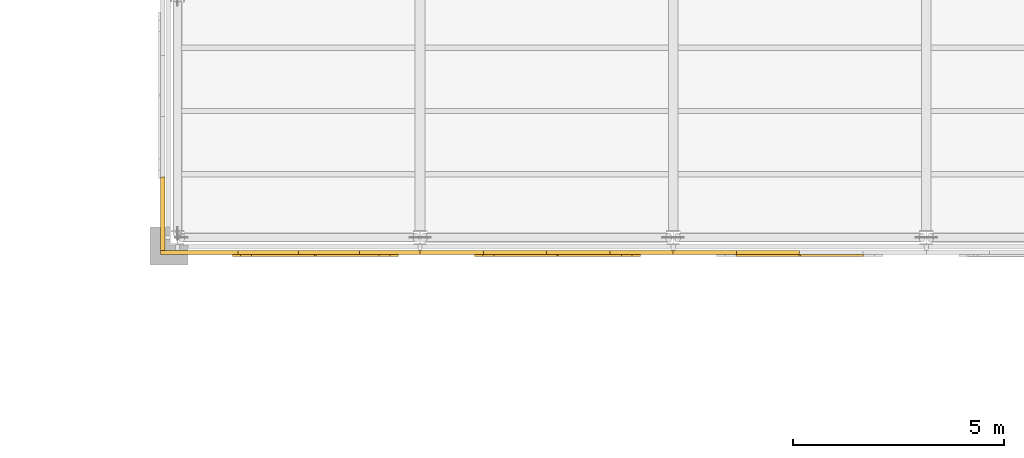
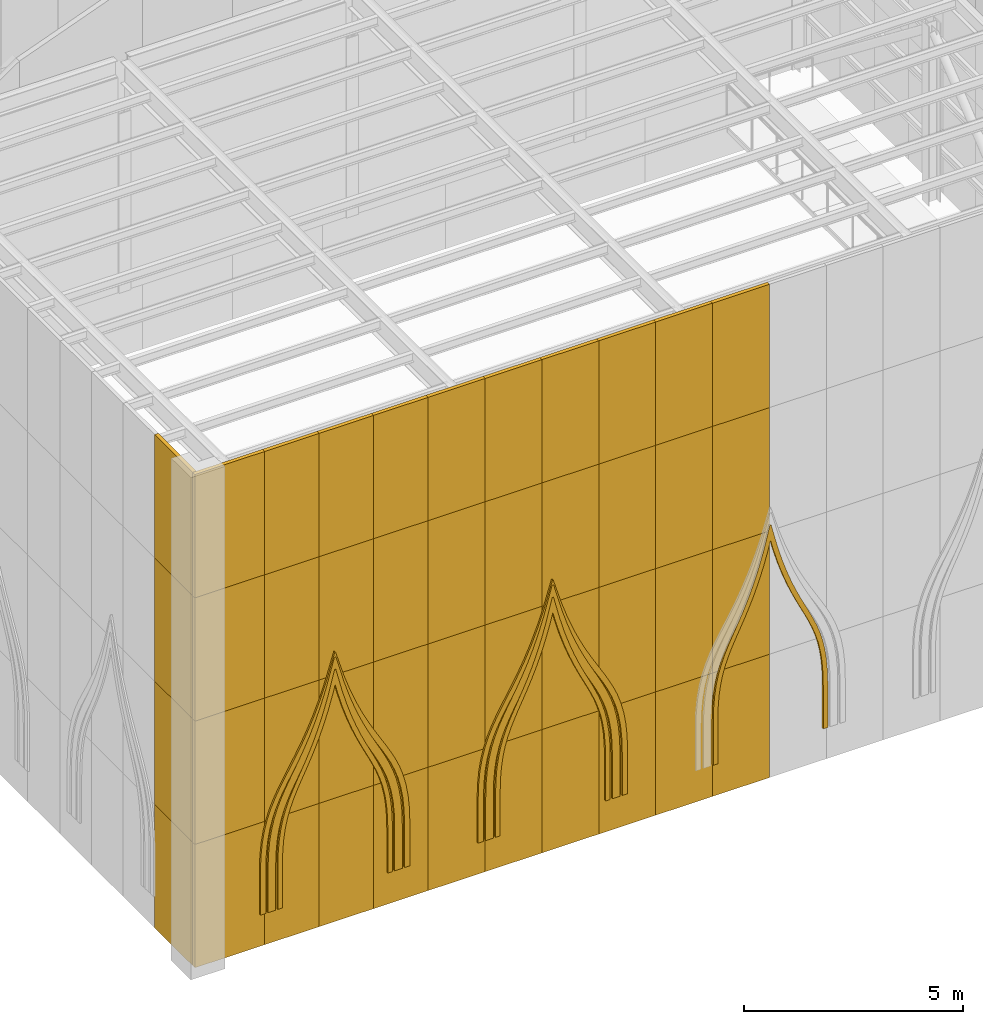
# One storey, part 36 of 43: 51 coverings.
"""IFC4 building model written with IfcOpenShell, lengths in metres."""

from ifc_helpers import new_model, si_unit, direction, frame, origin, origin_2d, place, context, subcontext, project, spatial, polyline, rectangle, outline, extrude, material, layer, layer_set, type_object, element, save


model = new_model("IFC4")

# Units and contexts
model_context = context("Model", 3, precision=1e-05, world=origin(), true_north=direction((0.0, 1.0)))
body_context = subcontext(model_context, "Body", "Model", "MODEL_VIEW")
ifc_project = project(units=[si_unit("LENGTHUNIT", "METRE"), si_unit("AREAUNIT", "SQUARE_METRE"), si_unit("VOLUMEUNIT", "CUBIC_METRE"), si_unit("PLANEANGLEUNIT", "RADIAN"), si_unit("MASSUNIT", "GRAM", prefix="KILO")], contexts=[model_context])

# Site, building, storey
site_placement = place(None, origin())
site = spatial("IfcSite", under=ifc_project, at=site_placement, CompositionType="ELEMENT")
building_placement = place(site_placement, origin())
building = spatial("IfcBuilding", under=site, at=building_placement, Name="Saffron Lane Theatres", CompositionType="ELEMENT")
storey_placement = place(building_placement, frame((0.0, 0.0, 23.0)))
storey = spatial("IfcBuildingStorey", under=building, at=storey_placement, Name="Roof", CompositionType="ELEMENT", Elevation=23.0)

# Coverings
ifc_material_1 = material(Name="Masonry sandstone", Category="masonry")
ifc_layer_1 = layer(ifc_material_1, 0.050048828125)
ifc_layer_set_1 = layer_set([ifc_layer_1], Name="Masonry sandstone")
covering_type_1 = type_object("IfcCoveringType", Name="EX-ARCH FRAME RING SANDSTONE 50", PredefinedType="CLADDING", material=ifc_layer_set_1)
covering_1_placement = place(storey_placement, frame((23.02099609375, 29.85009765625, 2.5810546875), z_axis=(0.0, 1.0, 0.0), x_axis=(0.023756941085, 0.0, -0.999717764047)))
element("IfcCovering", 1, at=covering_1_placement, inside=storey, type_object=covering_type_1, Name="Tower arch recess ring", PredefinedType="CLADDING", context=body_context, shape_type="SweptSolid", body=[
    extrude(outline(polyline([(0.0, 0.0), (0.38023426890641177, 0.0), (1.5808230582972993, 0.028530369433181012), (1.5779694413505367, 0.14861365554424355), (0.3793332257175527, 0.12012968638661965), (0.003248176046685734, 0.12022828697217852), (-0.32637530581117835, 0.13828144283302546), (-0.6163538279053677, 0.17339453784549674), (-0.8754217718364463, 0.223162125291944), (-1.1121042476919079, 0.2866489888075911), (-1.334891565352578, 0.36145548170923414), (-1.5501527896694218, 0.44840708998026435), (-1.7663318302477076, 0.5431515931795744), (-1.9907856388862415, 0.6469794205922529), (-2.231510581991929, 0.7572584538842472), (-2.4952710673040963, 0.8708974314542522), (-2.79112674862527, 0.9889021106265061), (-3.1241045314843876, 1.1070014714421268), (-3.503019997964239, 1.2262070712597966), (-3.934846827317219, 1.341957418125338), (-4.195372931259218, 1.4017029459088173), (-3.9379788459173244, 1.4737561467838212), (-3.5121434521456565, 1.6101318864075636), (-3.139312221798232, 1.7469575205949843), (-2.812320074485982, 1.8807401745489096), (-2.522403628436119, 2.012664936388298), (-2.264338776948588, 2.138704387600942), (-2.0291296665997525, 2.2605375597797215), (-1.8098552887202812, 2.374665778093016), (-1.5984264763521552, 2.479816013359072), (-1.3875094778343462, 2.5756741231717535), (-1.168550182907138, 2.661954965297145), (-0.9351505265473425, 2.7366126951531675), (-0.6787389983919088, 2.7986299553466933), (-0.3907556881466753, 2.84747753192407), (-0.062367613625519354, 2.881411652367403), (0.3132882334964443, 2.899374359042451), (1.5119244491294284, 2.927858328200075), (1.5090766322171103, 3.0476975425913997), (0.3084878428262229, 3.0191671731582184), (-0.07131722353128557, 3.0011058658976117), (-0.40652190610176964, 2.9662771293306154), (-0.7025305829261318, 2.9160177930178754), (-0.9679263644363119, 2.8518333577919948), (-1.2093339872719022, 2.775031653041396), (-1.4341046031972635, 2.6866590363314287), (-1.6498508357998292, 2.588488280352214), (-1.8644061802489915, 2.4813100708804736), (-2.0836805581284623, 2.367181852567179), (-2.3179423817705693, 2.246592239124868), (-2.5740488594657522, 2.120355116468043), (-2.8591360714308585, 1.990743000795189), (-3.182025399783121, 1.859011521184726), (-3.5509978828902957, 1.7242312613063229), (-3.9717367707196902, 1.5891976810046076), (-4.6197083107173516, 1.4077370195811822), (-4.618948506205104, 1.3757636242955131), (-3.963088919362733, 1.225286746875351), (-3.536410796262028, 1.110390886165424), (-3.161452677607985, 0.9932891312742814), (-2.8326473141221906, 0.8760674567520537), (-2.5417426676091113, 0.7608756375277622), (-2.2799289560204032, 0.646946187962462), (-2.040203499931446, 0.5376202414116408), (-1.8157554913273564, 0.43403648571870035), (-1.5963513180824758, 0.33717073748952914), (-1.3761854592330949, 0.24935884302844), (-1.1474708198853787, 0.1717626903166131), (-0.9026875770030083, 0.10651465417973567), (-0.6345425791660692, 0.05500909424983662), (-0.3364864901827494, 0.019111113495086693), (0.0, 0.0)])), origin(), (0.0, 0.0, -1.0), 0.050048828125),
])
covering_2_placement = place(storey_placement, frame((23.279052734375, 29.85009765625, 2.60107421875), z_axis=(0.0, 1.0, 0.0), x_axis=(0.027445423218, 0.0, -0.999623303422)))
element("IfcCovering", 2, at=covering_2_placement, inside=storey, type_object=covering_type_1, Name="Tower arch recess ring", PredefinedType="CLADDING", context=body_context, shape_type="SweptSolid", body=[
    extrude(outline(polyline([(0.0, 0.0), (0.4002972749886543, 0.0), (1.60077262399574, 0.03295996992392853), (1.5952848794607335, 0.23283582087672447), (0.39676191971814384, 0.19992945529501824), (0.005521247248895529, 0.1992011807455482), (-0.3350186515351066, 0.21989201014049903), (-0.6362744592205554, 0.25973462870481856), (-0.9050192333481872, 0.3163449833181706), (-1.1499851212660126, 0.3875294651760587), (-1.3804526725231665, 0.473277502310989), (-1.604171139292633, 0.5711782394315141), (-1.8304143705807694, 0.6809770559120782), (-2.0656912736419164, 0.7995644532009369), (-2.31924889531132, 0.9257096160402862), (-2.5968907990402466, 1.057299342138963), (-2.907850630578386, 1.1926147189230394), (-3.2586775004367463, 1.3300105397891429), (-3.6575886564761024, 1.4663304023860844), (-4.111377257865525, 1.5999223995677143), (-4.280569238825531, 1.642169768484506), (-4.113956966834973, 1.6938811329215928), (-3.668182214607782, 1.852171330782141), (-3.2773452126156575, 2.0099301011499358), (-2.9345857962617514, 2.166368864590507), (-2.6314991024875107, 2.3178106610293066), (-2.361515919153593, 2.4651685510955206), (-2.1152618891119763, 2.605036425543775), (-1.8868463418552817, 2.7363548541104272), (-1.666968626206042, 2.8584022627887835), (-1.4489590218832489, 2.968430982337101), (-1.2235436798805455, 3.0666956333809354), (-0.9828527382549475, 3.151214195366617), (-0.7176190485428754, 3.2224853375777642), (-0.4190032547118743, 3.2787978902898818), (-0.08011168945120746, 3.318143030778188), (0.31057953851026243, 3.338883295288744), (1.509102498252852, 3.37178966087045), (1.5036147537178453, 3.571665511823246), (0.3031394047107597, 3.5387055418993176), (-0.0965548214278939, 3.516741162673736), (-0.4495744066850469, 3.4760311960720696), (-0.762047369683361, 3.4173843231571226), (-1.042087621023883, 3.342775863939786), (-1.2967926734187447, 3.2527436486536896), (-1.5340256882681536, 3.1490256491944417), (-1.7609578842547968, 3.0348442310343535), (-1.985662968723055, 2.910710422235945), (-2.215027908440886, 2.778388996865934), (-2.45838015675687, 2.6395777235632614), (-2.724538968075129, 2.4952556260782357), (-3.020357806449731, 2.345967235187266), (-3.3563977696051235, 2.1938649141315274), (-3.7392615723945344, 2.039255845572144), (-4.177280371905962, 1.8831324543449808), (-4.9520084443458074, 1.6437619663494585), (-4.9509095553302505, 1.603737986427287), (-4.164214313489279, 1.4072375711240381), (-3.7182888735000645, 1.2753835458380154), (-3.327525130775644, 1.142259246542275), (-2.983638832027465, 1.0085805890073858), (-2.680074166201742, 0.8757487311786581), (-2.4063973458868078, 0.7462482343180951), (-2.155768308114148, 0.6200226649654124), (-1.9195152104207531, 0.5014620698476648), (-1.688337401629154, 0.3898448749581602), (-1.455481925826948, 0.28828727939142085), (-1.2129152789264217, 0.19774254703329958), (-0.9536538574426654, 0.12182167483722059), (-0.6699417086599169, 0.06269146943656922), (-0.3547215231227106, 0.02127839254608732), (0.0, 0.0)])), origin(), (0.0, 0.0, -1.0), 0.050048828125),
])
covering_3_placement = place(storey_placement, frame((23.47802734375, 29.85009765625, 2.617919921875), z_axis=(0.0, 1.0, 0.0), x_axis=(0.028676726094, 0.0, -0.999588738122)))
element("IfcCovering", 3, at=covering_3_placement, inside=storey, type_object=covering_type_1, Name="Tower arch recess ring", PredefinedType="CLADDING", context=body_context, shape_type="SweptSolid", body=[
    extrude(outline(polyline([(0.0, 0.0), (0.41716375104764425, 0.0), (1.6175975896273929, 0.034438675696960006), (1.6135859284819654, 0.1742737213375772), (0.4151044116563614, 0.1398910548712689), (0.005010825813660432, 0.14033812855164937), (-0.35494549711227735, 0.16396102174383417), (-0.671332639580196, 0.2098385826365695), (-0.9552924378304503, 0.274720275522391), (-1.2138740536064891, 0.35742690606311395), (-1.4567760852945528, 0.4554820661320671), (-1.6930000163922352, 0.5676505521604138), (-1.930822210893157, 0.6929622042600804), (-2.177744905210146, 0.8290036246888783), (-2.441974451798508, 0.972364251366053), (-2.733495496186741, 1.1220249163267102), (-3.056888793310287, 1.2759002758939073), (-3.4235612230902626, 1.4314649138641529), (-3.8400458622162548, 1.5865774773298524), (-4.314828109131995, 1.7390406041527604), (-4.631415284566527, 1.825944926497861), (-4.320331016043524, 1.9308562164974814), (-3.8550703383385714, 2.1102877878791797), (-3.448135273038693, 2.288046083495159), (-3.0909844124695054, 2.4643761437295195), (-2.776972661480118, 2.637514677981567), (-2.4945111101497965, 2.8036420567538216), (-2.238941990850953, 2.962159181311278), (-2.0002176476706053, 3.111888857645417), (-1.769970701615325, 3.250628722793827), (-1.5405658943494862, 3.3761554103326024), (-1.3036848549564797, 3.487974838834209), (-1.0502700907080593, 3.585369890113339), (-0.7704969824490192, 3.666424248349837), (-0.4572603592052583, 3.730364786127743), (-0.09925735819829837, 3.7748291141113564), (0.31014311341508793, 3.7985420221385167), (1.5086246302406918, 3.8329246886048254), (1.5046129690952643, 3.9727597342454426), (0.30417913051551565, 3.9383210585484822), (-0.11229850745664535, 3.9144051170602094), (-0.47930999311503036, 3.8689496257270277), (-0.8044415767184447, 3.8024696694379667), (-1.094136320121499, 3.718199781263162), (-1.358448880391006, 3.6175611954303997), (-1.6042123836664715, 3.5003578796323986), (-1.839634182568035, 3.3717276806166194), (-2.073485722681685, 3.2309304764065927), (-2.312447104927469, 3.0809497586993544), (-2.5680512299954703, 2.923652835238239), (-2.8454159413364875, 2.758648641573517), (-3.155635067278889, 2.589526769291062), (-3.5077240936279295, 2.415540095260575), (-3.9078820420189535, 2.239930153706022), (-4.367097723472856, 2.062625932924255), (-5.082416612246459, 1.8220432834840707), (-5.081898526862931, 1.803984307258232), (-4.353963558885034, 1.6048064815773124), (-3.885338326681647, 1.4541206476627628), (-3.47577782869497, 1.3019845747402674), (-3.114286252750276, 1.148225234293706), (-2.7948886141348286, 0.9974103791156907), (-2.50851341781272, 0.8483348105823771), (-2.244311875839684, 0.7059503447822748), (-1.9971451413034267, 0.5699159255073083), (-1.7556063342828319, 0.44275696896096894), (-1.5131693792421437, 0.3268588682701192), (-1.2611188398260256, 0.2249140671653726), (-0.991471400336945, 0.1395940059158483), (-0.6974219392507215, 0.0720708777058996), (-0.36901381565418306, 0.024340011377493066), (0.0, 0.0)])), origin(), (0.0, 0.0, -1.0), 0.050048828125),
])
covering_4_placement = place(storey_placement, frame((28.760986328125, 29.85009765625, 2.5810546875), z_axis=(0.0, 1.0, 0.0), x_axis=(0.023756941085, 0.0, -0.999717764047)))
element("IfcCovering", 4, at=covering_4_placement, inside=storey, type_object=covering_type_1, Name="Tower arch recess ring", PredefinedType="CLADDING", context=body_context, shape_type="SweptSolid", body=[
    extrude(outline(polyline([(0.0, 0.0), (0.38023426890641177, 0.0), (1.5808230582972993, 0.028530369433181012), (1.5779694413505367, 0.14861365554424355), (0.3793332257175527, 0.12012968638661965), (0.0032539760811303733, 0.1199842152524406), (-0.32637530581117835, 0.13828144283302546), (-0.6163538279053677, 0.17339453784549674), (-0.8754217718364463, 0.223162125291944), (-1.1121042476919079, 0.2866489888075911), (-1.334891565352578, 0.36145548170923414), (-1.5501527896694218, 0.44840708998026435), (-1.7663318302477076, 0.5431515931795744), (-1.9907856388862415, 0.6469794205922529), (-2.231510581991929, 0.7572584538842472), (-2.4952710673040963, 0.8708974314542522), (-2.79112674862527, 0.9889021106265061), (-3.1241045314843876, 1.1070014714421268), (-3.503019997964239, 1.2262070712597966), (-3.934846827317219, 1.341957418125338), (-4.195372931259218, 1.4017029459088173), (-3.9379788459173244, 1.4737561467838212), (-3.5121376521112118, 1.6098878146878255), (-3.139312221798232, 1.7469575205949843), (-2.812320074485982, 1.8807401745489096), (-2.522403628436119, 2.012664936388298), (-2.264338776948588, 2.138704387600942), (-2.0291296665997525, 2.2605375597797215), (-1.8098552887202812, 2.374665778093016), (-1.5984264763521552, 2.479816013359072), (-1.3875094778343462, 2.5756741231717535), (-1.168550182907138, 2.661954965297145), (-0.9351505265473425, 2.7366126951531675), (-0.6787389983919088, 2.7986299553466933), (-0.3907556881466753, 2.84747753192407), (-0.062367613625519354, 2.881411652367403), (0.3132940335308889, 2.899130287322713), (1.5119302491638729, 2.927614256480337), (1.5090766322171103, 3.0476975425913997), (0.3084878428262229, 3.0191671731582184), (-0.07131722353128557, 3.0011058658976117), (-0.40652190610176964, 2.9662771293306154), (-0.7025305829261318, 2.9160177930178754), (-0.9679263644363119, 2.8518333577919948), (-1.2093339872719022, 2.775031653041396), (-1.4341046031972635, 2.6866590363314287), (-1.6498508357998292, 2.588488280352214), (-1.8644061802489915, 2.4813100708804736), (-2.0836805581284623, 2.367181852567179), (-2.3179423817705693, 2.246592239124868), (-2.5740488594657522, 2.120355116468043), (-2.8591360714308585, 1.990743000795189), (-3.182025399783121, 1.859011521184726), (-3.5509978828902957, 1.7242312613063229), (-3.9717367707196902, 1.5891976810046076), (-4.6197083107173516, 1.4077370195811822), (-4.618948506205104, 1.3757636242955131), (-3.963088919362733, 1.225286746875351), (-3.536410796262028, 1.110390886165424), (-3.1614468775735407, 0.9930450595545434), (-2.832641514087746, 0.8758233850323157), (-2.5417426676091113, 0.7608756375277622), (-2.2799289560204032, 0.646946187962462), (-2.040203499931446, 0.5376202414116408), (-1.8157554913273564, 0.43403648571870035), (-1.5963513180824758, 0.33717073748952914), (-1.3761854592330949, 0.24935884302844), (-1.1474708198853787, 0.1717626903166131), (-0.9026875770030083, 0.10651465417973567), (-0.6345425791660692, 0.05500909424983662), (-0.3364864901827494, 0.019111113495086693), (0.0, 0.0)])), origin(), (0.0, 0.0, -1.0), 0.050048828125),
])
covering_5_placement = place(storey_placement, frame((29.01904296875, 29.85009765625, 2.60107421875), z_axis=(0.0, 1.0, 0.0), x_axis=(0.027445423218, 0.0, -0.999623303422)))
element("IfcCovering", 5, at=covering_5_placement, inside=storey, type_object=covering_type_1, Name="Tower arch recess ring", PredefinedType="CLADDING", context=body_context, shape_type="SweptSolid", body=[
    extrude(outline(polyline([(0.0, 0.0), (0.4002972749886543, 0.0), (1.60077262399574, 0.03295996992392853), (1.5952848794607335, 0.23283582087672447), (0.39676191971814384, 0.19992945529501824), (0.005521247248895529, 0.1992011807455482), (-0.3350186515351066, 0.21989201014049903), (-0.6362744592205554, 0.25973462870481856), (-0.9050192333481872, 0.3163449833181706), (-1.1499851212660126, 0.3875294651760587), (-1.3804526725231665, 0.473277502310989), (-1.604171139292633, 0.5711782394315141), (-1.8304143705807694, 0.6809770559120782), (-2.0656912736419164, 0.7995644532009369), (-2.31924889531132, 0.9257096160402862), (-2.596884098497469, 1.057055293480901), (-2.907850630578386, 1.1926147189230394), (-3.2586775004367463, 1.3300105397891429), (-3.6575886564761024, 1.4663304023860844), (-4.111377257865525, 1.5999223995677143), (-4.280569238825531, 1.642169768484506), (-4.113956966834973, 1.6938811329215928), (-3.668182214607782, 1.852171330782141), (-3.2773452126156575, 2.0099301011499358), (-2.9345857962617514, 2.166368864590507), (-2.6314991024875107, 2.3178106610293066), (-2.361515919153593, 2.4651685510955206), (-2.1152618891119763, 2.605036425543775), (-1.8868463418552817, 2.7363548541104272), (-1.666968626206042, 2.8584022627887835), (-1.4489590218832489, 2.968430982337101), (-1.2235436798805455, 3.0666956333809354), (-0.9828527382549475, 3.151214195366617), (-0.7176190485428754, 3.2224853375777642), (-0.4190032547118743, 3.2787978902898818), (-0.08011168945120746, 3.318143030778188), (0.31057953851026243, 3.338883295288744), (1.509102498252852, 3.37178966087045), (1.5036147537178453, 3.571665511823246), (0.3031394047107597, 3.5387055418993176), (-0.0965548214278939, 3.516741162673736), (-0.4495744066850469, 3.4760311960720696), (-0.762047369683361, 3.4173843231571226), (-1.042087621023883, 3.342775863939786), (-1.2967926734187447, 3.2527436486536896), (-1.5340256882681536, 3.1490256491944417), (-1.7609578842547968, 3.0348442310343535), (-1.985662968723055, 2.910710422235945), (-2.215027908440886, 2.778388996865934), (-2.45838015675687, 2.6395777235632614), (-2.724538968075129, 2.4952556260782357), (-3.020357806449731, 2.345967235187266), (-3.3563977696051235, 2.1938649141315274), (-3.7392615723945344, 2.039255845572144), (-4.177280371905962, 1.8831324543449808), (-4.9520084443458074, 1.6437619663494585), (-4.9509095553302505, 1.603737986427287), (-4.164214313489279, 1.4072375711240381), (-3.7182888735000645, 1.2753835458380154), (-3.327525130775644, 1.142259246542275), (-2.983638832027465, 1.0085805890073858), (-2.680074166201742, 0.8757487311786581), (-2.4063973458868078, 0.7462482343180951), (-2.155768308114148, 0.6200226649654124), (-1.9195152104207531, 0.5014620698476648), (-1.688337401629154, 0.3898448749581602), (-1.455481925826948, 0.28828727939142085), (-1.2129152789264217, 0.19774254703329958), (-0.9536538574426654, 0.12182167483722059), (-0.6699417086599169, 0.06269146943656922), (-0.3547215231227106, 0.02127839254608732), (0.0, 0.0)])), origin(), (0.0, 0.0, -1.0), 0.050048828125),
])
covering_6_placement = place(storey_placement, frame((29.218017578125, 29.85009765625, 2.617919921875), z_axis=(0.0, 1.0, 0.0), x_axis=(0.028676726094, 0.0, -0.999588738122)))
element("IfcCovering", 6, at=covering_6_placement, inside=storey, type_object=covering_type_1, Name="Tower arch recess ring", PredefinedType="CLADDING", context=body_context, shape_type="SweptSolid", body=[
    extrude(outline(polyline([(0.0, 0.0), (0.41716375104764425, 0.0), (1.6175975896273929, 0.034438675696960006), (1.6135859284819654, 0.1742737213375772), (0.4151044116563614, 0.1398910548712689), (0.005010825813660432, 0.14033812855164937), (-0.35494549711227735, 0.16396102174383417), (-0.671332639580196, 0.2098385826365695), (-0.9552924378304503, 0.274720275522391), (-1.2138740536064891, 0.35742690606311395), (-1.4567760852945528, 0.4554820661320671), (-1.6930000163922352, 0.5676505521604138), (-1.930822210893157, 0.6929622042600804), (-2.177744905210146, 0.8290036246888783), (-2.441974451798508, 0.972364251366053), (-2.733495496186741, 1.1220249163267102), (-3.056888793310287, 1.2759002758939073), (-3.4235612230902626, 1.4314649138641529), (-3.8400458622162548, 1.5865774773298524), (-4.314828109131995, 1.7390406041527604), (-4.631415284566527, 1.825944926497861), (-4.320331016043524, 1.9308562164974814), (-3.8550703383385714, 2.1102877878791797), (-3.448135273038693, 2.288046083495159), (-3.0909844124695054, 2.4643761437295195), (-2.776972661480118, 2.637514677981567), (-2.4945111101497965, 2.8036420567538216), (-2.238934989697121, 2.96191514109201), (-2.0002176476706053, 3.111888857645417), (-1.769970701615325, 3.250628722793827), (-1.5405658943494862, 3.3761554103326024), (-1.3036848549564797, 3.487974838834209), (-1.0502700907080593, 3.585369890113339), (-0.7704969824490192, 3.666424248349837), (-0.4572603592052583, 3.730364786127743), (-0.09925735819829837, 3.7748291141113564), (0.31014311341508793, 3.7985420221385167), (1.5086246302406918, 3.8329246886048254), (1.5046129690952643, 3.9727597342454426), (0.30417913051551565, 3.9383210585484822), (-0.11229850745664535, 3.9144051170602094), (-0.47930999311503036, 3.8689496257270277), (-0.8044415767184447, 3.8024696694379667), (-1.094136320121499, 3.718199781263162), (-1.358448880391006, 3.6175611954303997), (-1.6042123836664715, 3.5003578796323986), (-1.839634182568035, 3.3717276806166194), (-2.073485722681685, 3.2309304764065927), (-2.312447104927469, 3.0809497586993544), (-2.5680512299954703, 2.923652835238239), (-2.8454159413364875, 2.758648641573517), (-3.155635067278889, 2.589526769291062), (-3.5077240936279295, 2.415540095260575), (-3.9078820420189535, 2.239930153706022), (-4.367097723472856, 2.062625932924255), (-5.082416612246459, 1.8220432834840707), (-5.081898526862931, 1.803984307258232), (-4.353963558885034, 1.6048064815773124), (-3.885338326681647, 1.4541206476627628), (-3.47577782869497, 1.3019845747402674), (-3.114286252750276, 1.148225234293706), (-2.794881612980997, 0.9971663388964227), (-2.50851341781272, 0.8483348105823771), (-2.244311875839684, 0.7059503447822748), (-1.9971451413034267, 0.5699159255073083), (-1.7556063342828319, 0.44275696896096894), (-1.5131693792421437, 0.3268588682701192), (-1.2611188398260256, 0.2249140671653726), (-0.991471400336945, 0.1395940059158483), (-0.6974219392507215, 0.0720708777058996), (-0.36901381565418306, 0.024340011377493066), (0.0, 0.0)])), origin(), (0.0, 0.0, -1.0), 0.050048828125),
])
covering_7_placement = place(storey_placement, frame((34.5009765625, 29.85009765625, 2.5810546875), z_axis=(0.0, 1.0, 0.0), x_axis=(0.023756941085, 0.0, -0.999717764047)))
element("IfcCovering", 7, at=covering_7_placement, inside=storey, type_object=covering_type_1, Name="Tower arch recess ring", PredefinedType="CLADDING", context=body_context, shape_type="SweptSolid", body=[
    extrude(outline(polyline([(0.0, 0.0), (0.38023426890641177, 0.0), (1.5808230582972993, 0.028530369433181012), (1.5779694413505367, 0.14861365554424355), (0.3793332257175527, 0.12012968638661965), (0.0032539760811303733, 0.1199842152524406), (-0.32637530581117835, 0.13828144283302546), (-0.6163538279053677, 0.17339453784549674), (-0.8754217718364463, 0.223162125291944), (-1.1121042476919079, 0.2866489888075911), (-1.3349147654903566, 0.3624317685881858), (-1.550146989634977, 0.4481630182605264), (-1.7663318302477076, 0.5431515931795744), (-1.9907856388862415, 0.6469794205922529), (-2.231510581991929, 0.7572584538842472), (-2.4952710673040963, 0.8708974314542522), (-2.79112674862527, 0.9889021106265061), (-3.1241045314843876, 1.1070014714421268), (-3.503019997964239, 1.2262070712597966), (-3.934846827317219, 1.341957418125338), (-4.195372931259218, 1.4017029459088173), (-3.9379788459173244, 1.4737561467838212), (-3.5121376521112118, 1.6098878146878255), (-3.139312221798232, 1.7469575205949843), (-2.812320074485982, 1.8807401745489096), (-2.522403628436119, 2.012664936388298), (-2.264338776948588, 2.138704387600942), (-2.0291238665653077, 2.2602934880599834), (-1.8098552887202812, 2.374665778093016), (-1.5984264763521552, 2.479816013359072), (-1.3875094778343462, 2.5756741231717535), (-1.168550182907138, 2.661954965297145), (-0.9351505265473425, 2.7366126951531675), (-0.6787389983919088, 2.7986299553466933), (-0.3907556881466753, 2.84747753192407), (-0.062367613625519354, 2.881411652367403), (0.3132940335308889, 2.899130287322713), (1.5119302491638729, 2.927614256480337), (1.5090766322171103, 3.0476975425913997), (0.3084878428262229, 3.0191671731582184), (-0.07131722353128557, 3.0011058658976117), (-0.40652190610176964, 2.9662771293306154), (-0.7025305829261318, 2.9160177930178754), (-0.9679263644363119, 2.8518333577919948), (-1.2093339872719022, 2.775031653041396), (-1.4341046031972635, 2.6866590363314287), (-1.6498508357998292, 2.588488280352214), (-1.8644061802489915, 2.4813100708804736), (-2.0836805581284623, 2.367181852567179), (-2.3179423817705693, 2.246592239124868), (-2.5740488594657522, 2.120355116468043), (-2.8591592715686374, 1.9917192876741407), (-3.182025399783121, 1.859011521184726), (-3.550992082855851, 1.7239871895865848), (-3.9717309706852455, 1.5889536092848697), (-4.6197083107173516, 1.4077370195811822), (-4.618942706170659, 1.3755195525757753), (-3.963088919362733, 1.225286746875351), (-3.536410796262028, 1.110390886165424), (-3.1614468775735407, 0.9930450595545434), (-2.832670514259969, 0.8770437436310055), (-2.5417426676091113, 0.7608756375277622), (-2.2799289560204032, 0.646946187962462), (-2.040203499931446, 0.5376202414116408), (-1.8157554913273564, 0.43403648571870035), (-1.5963513180824758, 0.33717073748952914), (-1.3761854592330949, 0.24935884302844), (-1.1474708198853787, 0.1717626903166131), (-0.9026875770030083, 0.10651465417973567), (-0.6345425791660692, 0.05500909424983662), (-0.33648069014830473, 0.01886704177534876), (0.0, 0.0)])), origin(), (0.0, 0.0, -1.0), 0.050048828125),
])
ifc_material_2 = material(Name="Masonry perforated pale clay brick", Category="masonry")
ifc_layer_2 = layer(ifc_material_2, 0.10009765625)
ifc_layer_set_2 = layer_set([ifc_layer_2], Name="Masonry perforated pale clay brick")
covering_type_2 = type_object("IfcCoveringType", Name="EX-CLADDING PANEL PERFORATED BRICK 100", PredefinedType="CLADDING", material=ifc_layer_set_2)
for number, where, z_axis, x_axis, name in (
    (8, (18.768798828125, 29.89990234375, 0.10009765625), (0.0, 0.0, 1.0), (1.0, 0.0, 0.0), "Tower panel S1"),
    (9, (18.768798828125, 29.89990234375, 3.53759765625), (0.0, 0.0, 1.0), (1.0, 0.0, 0.0), "Tower panel S2"),
    (10, (18.768798828125, 29.89990234375, 6.97509765625), (0.0, 0.0, 1.0), (1.0, 0.0, 0.0), "Tower panel S3"),
    (11, (18.768798828125, 29.89990234375, 10.41259765625), (0.0, 0.0, 1.0), (1.0, 0.0, 0.0), "Tower panel S4"),
):
    element("IfcCovering", number, at=place(storey_placement, frame(where, z_axis=z_axis, x_axis=x_axis)), inside=storey, type_object=covering_type_2, Name=name, PredefinedType="CLADDING", context=body_context, shape_type="SweptSolid", body=[
        extrude(rectangle(XDim=1.83740234375, YDim=0.10009765625, at=origin_2d()), origin(), (0.0, 0.0, 1.0), 3.4375),
    ])
for number, where, z_axis, x_axis, name in (
    (12, (20.40625, 29.89990234375, 0.10009765625), (0.0, 0.0, 1.0), (1.0, 0.0, 0.0), "Tower panel S5"),
    (13, (20.40625, 29.89990234375, 3.53759765625), (0.0, 0.0, 1.0), (1.0, 0.0, 0.0), "Tower panel S6"),
    (14, (20.40625, 29.89990234375, 6.97509765625), (0.0, 0.0, 1.0), (1.0, 0.0, 0.0), "Tower panel S7"),
    (15, (20.40625, 29.89990234375, 10.41259765625), (0.0, 0.0, 1.0), (1.0, 0.0, 0.0), "Tower panel S8"),
    (16, (21.84375, 29.89990234375, 0.10009765625), (0.0, 0.0, 1.0), (1.0, 0.0, 0.0), "Tower panel S9"),
    (17, (21.84375, 29.89990234375, 3.53759765625), (0.0, 0.0, 1.0), (1.0, 0.0, 0.0), "Tower panel S10"),
    (18, (21.84375, 29.89990234375, 6.97509765625), (0.0, 0.0, 1.0), (1.0, 0.0, 0.0), "Tower panel S11"),
    (19, (21.84375, 29.89990234375, 10.41259765625), (0.0, 0.0, 1.0), (1.0, 0.0, 0.0), "Tower panel S12"),
    (20, (23.28125, 29.89990234375, 0.10009765625), (0.0, 0.0, 1.0), (1.0, 0.0, 0.0), "Tower panel S13"),
    (21, (23.28125, 29.89990234375, 3.53759765625), (0.0, 0.0, 1.0), (1.0, 0.0, 0.0), "Tower panel S14"),
    (22, (23.28125, 29.89990234375, 6.97509765625), (0.0, 0.0, 1.0), (1.0, 0.0, 0.0), "Tower panel S15"),
    (23, (23.28125, 29.89990234375, 10.41259765625), (0.0, 0.0, 1.0), (1.0, 0.0, 0.0), "Tower panel S16"),
):
    element("IfcCovering", number, at=place(storey_placement, frame(where, z_axis=z_axis, x_axis=x_axis)), inside=storey, type_object=covering_type_2, Name=name, PredefinedType="CLADDING", context=body_context, shape_type="SweptSolid", body=[
        extrude(rectangle(XDim=1.4375, YDim=0.10009765625, at=origin_2d()), origin(), (0.0, 0.0, 1.0), 3.4375),
    ])
for number, where, z_axis, x_axis, name in (
    (24, (24.75, 29.89990234375, 0.10009765625), (0.0, 0.0, 1.0), (1.0, 0.0, 0.0), "Tower panel S17"),
    (25, (24.75, 29.89990234375, 3.53759765625), (0.0, 0.0, 1.0), (1.0, 0.0, 0.0), "Tower panel S18"),
    (26, (24.75, 29.89990234375, 6.97509765625), (0.0, 0.0, 1.0), (1.0, 0.0, 0.0), "Tower panel S19"),
    (27, (24.75, 29.89990234375, 10.41259765625), (0.0, 0.0, 1.0), (1.0, 0.0, 0.0), "Tower panel S20"),
    (28, (26.25, 29.89990234375, 0.10009765625), (0.0, 0.0, 1.0), (1.0, 0.0, 0.0), "Tower panel S21"),
    (29, (26.25, 29.89990234375, 3.53759765625), (0.0, 0.0, 1.0), (1.0, 0.0, 0.0), "Tower panel S22"),
    (30, (26.25, 29.89990234375, 6.97509765625), (0.0, 0.0, 1.0), (1.0, 0.0, 0.0), "Tower panel S23"),
    (31, (26.25, 29.89990234375, 10.41259765625), (0.0, 0.0, 1.0), (1.0, 0.0, 0.0), "Tower panel S24"),
    (32, (27.75, 29.89990234375, 0.10009765625), (0.0, 0.0, 1.0), (1.0, 0.0, 0.0), "Tower panel S25"),
    (33, (27.75, 29.89990234375, 3.53759765625), (0.0, 0.0, 1.0), (1.0, 0.0, 0.0), "Tower panel S26"),
    (34, (27.75, 29.89990234375, 6.97509765625), (0.0, 0.0, 1.0), (1.0, 0.0, 0.0), "Tower panel S27"),
    (35, (27.75, 29.89990234375, 10.41259765625), (0.0, 0.0, 1.0), (1.0, 0.0, 0.0), "Tower panel S28"),
    (36, (29.25, 29.89990234375, 0.10009765625), (0.0, 0.0, 1.0), (1.0, 0.0, 0.0), "Tower panel S29"),
    (37, (29.25, 29.89990234375, 3.53759765625), (0.0, 0.0, 1.0), (1.0, 0.0, 0.0), "Tower panel S30"),
    (38, (29.25, 29.89990234375, 6.97509765625), (0.0, 0.0, 1.0), (1.0, 0.0, 0.0), "Tower panel S31"),
    (39, (29.25, 29.89990234375, 10.41259765625), (0.0, 0.0, 1.0), (1.0, 0.0, 0.0), "Tower panel S32"),
    (40, (30.75, 29.89990234375, 0.10009765625), (0.0, 0.0, 1.0), (1.0, 0.0, 0.0), "Tower panel S33"),
    (41, (30.75, 29.89990234375, 3.53759765625), (0.0, 0.0, 1.0), (1.0, 0.0, 0.0), "Tower panel S34"),
    (42, (30.75, 29.89990234375, 6.97509765625), (0.0, 0.0, 1.0), (1.0, 0.0, 0.0), "Tower panel S35"),
    (43, (30.75, 29.89990234375, 10.41259765625), (0.0, 0.0, 1.0), (1.0, 0.0, 0.0), "Tower panel S36"),
    (44, (32.25, 29.89990234375, 0.10009765625), (0.0, 0.0, 1.0), (1.0, 0.0, 0.0), "Tower panel S37"),
    (45, (32.25, 29.89990234375, 3.53759765625), (0.0, 0.0, 1.0), (1.0, 0.0, 0.0), "Tower panel S38"),
    (46, (32.25, 29.89990234375, 6.97509765625), (0.0, 0.0, 1.0), (1.0, 0.0, 0.0), "Tower panel S39"),
    (47, (32.25, 29.89990234375, 10.41259765625), (0.0, 0.0, 1.0), (1.0, 0.0, 0.0), "Tower panel S40"),
):
    element("IfcCovering", number, at=place(storey_placement, frame(where, z_axis=z_axis, x_axis=x_axis)), inside=storey, type_object=covering_type_2, Name=name, PredefinedType="CLADDING", context=body_context, shape_type="SweptSolid", body=[
        extrude(rectangle(XDim=1.5, YDim=0.10009765625, at=origin_2d()), origin(), (0.0, 0.0, 1.0), 3.4375),
    ])
for number, where, z_axis, x_axis, name in (
    (48, (17.89990234375, 30.81884765625, 0.10009765625), (0.0, 0.0, 1.0), (0.0, 1.0, 0.0), "Tower panel W161"),
    (49, (17.89990234375, 30.81884765625, 3.53759765625), (0.0, 0.0, 1.0), (0.0, 1.0, 0.0), "Tower panel W162"),
    (50, (17.89990234375, 30.81884765625, 6.97509765625), (0.0, 0.0, 1.0), (0.0, 1.0, 0.0), "Tower panel W163"),
    (51, (17.89990234375, 30.81884765625, 10.41259765625), (0.0, 0.0, 1.0), (0.0, 1.0, 0.0), "Tower panel W164"),
):
    element("IfcCovering", number, at=place(storey_placement, frame(where, z_axis=z_axis, x_axis=x_axis)), inside=storey, type_object=covering_type_2, Name=name, PredefinedType="CLADDING", context=body_context, shape_type="SweptSolid", body=[
        extrude(rectangle(XDim=1.737548828125, YDim=0.10009765625, at=origin_2d()), origin(), (0.0, 0.0, 1.0), 3.4375),
    ])

save(model, "model.ifc")
